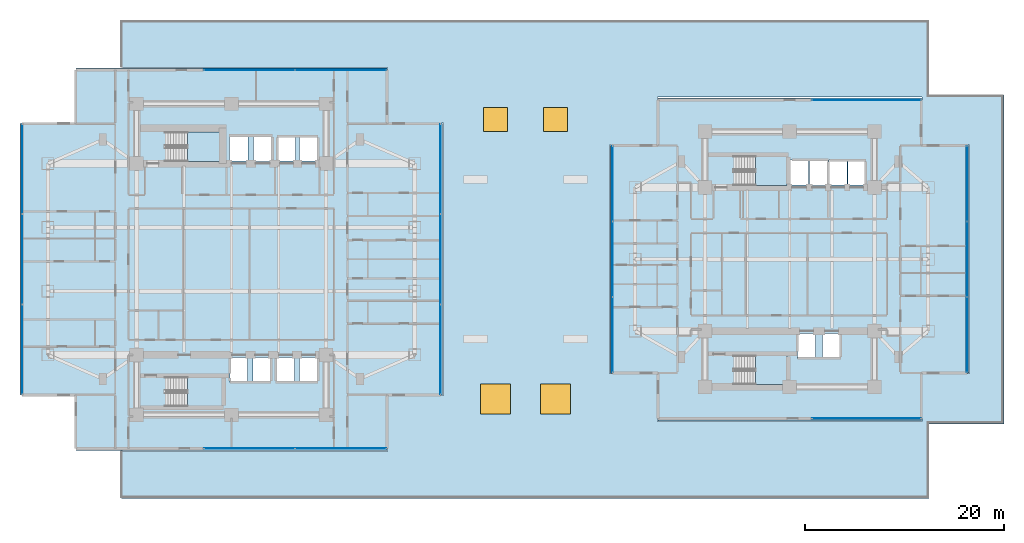
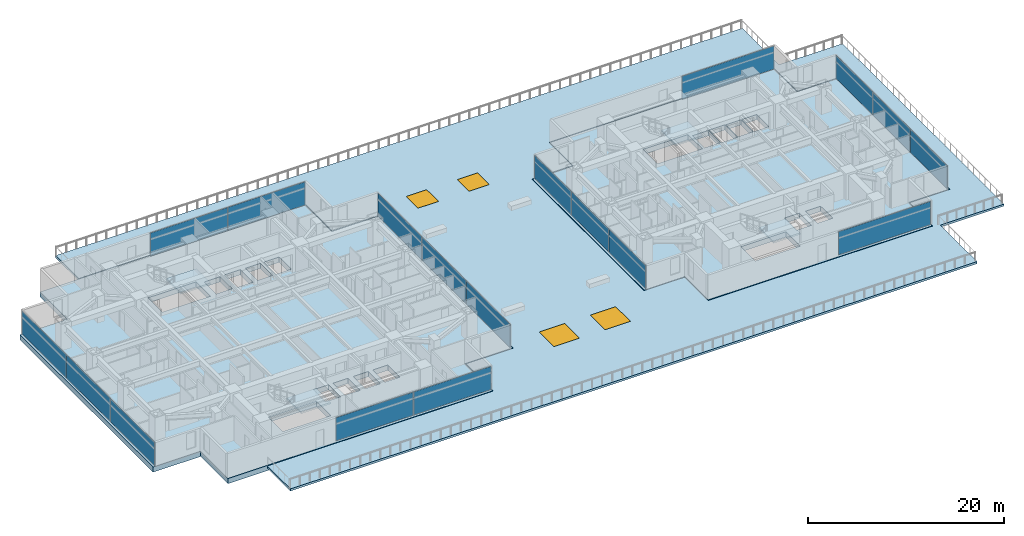
# One storey, part 11 of 26: 18 plates, 7 slabs, 4 windows, 4 openings, 12 elements without a shape of their own.
"""IFC4 building model written with IfcOpenShell, lengths in metres."""

from ifc_helpers import new_model, si_unit, direction, frame, origin, origin_2d, place, context, subcontext, project, spatial, polyline, rectangle, outline, extrude, material, layer, layer_set, type_object, element, fill, aggregate, save


model = new_model("IFC4")

# Units and contexts
model_context = context("Model", 3, precision=1e-05, world=origin(), true_north=direction((0.0, 1.0)))
body_context = subcontext(model_context, "Body", "Model", "MODEL_VIEW")
ifc_project = project(units=[si_unit("LENGTHUNIT", "METRE"), si_unit("AREAUNIT", "SQUARE_METRE"), si_unit("VOLUMEUNIT", "CUBIC_METRE"), si_unit("PLANEANGLEUNIT", "RADIAN"), si_unit("MASSUNIT", "GRAM", prefix="KILO")], contexts=[model_context])

# Site, building, storey
site_placement = place(None, origin())
site = spatial("IfcSite", under=ifc_project, at=site_placement, CompositionType="ELEMENT")
building_placement = place(site_placement, origin())
building = spatial("IfcBuilding", under=site, at=building_placement, Name="Mirazonda Arch Towers", CompositionType="ELEMENT")
storey_placement = place(building_placement, frame((0.0, 0.0, 22.39990234375)))
storey = spatial("IfcBuildingStorey", under=building, at=storey_placement, Name="L05", CompositionType="ELEMENT", Elevation=22.39990234375)

# Curtain wall, plates
ifc_material_1 = material(Name="Anodised Aluminium and Low-E Glass", Category="aluminium")
curtain_wall_type = type_object("IfcCurtainWallType", Name="CW-HTL-UNIT", PredefinedType="NOTDEFINED", material=ifc_material_1)
curtain_wall_1_placement = place(storey_placement, origin())
curtain_wall_1 = element("IfcCurtainWall", 1, at=curtain_wall_1_placement, inside=storey, type_object=curtain_wall_type, Name="L05 Curtain Wall CW-L05-T1-S", PredefinedType="NOTDEFINED")
ifc_material_2 = material(Name="Insulated Low-E Solar Glass", Category="glass")
ifc_layer_1 = layer(ifc_material_2, 0.035888671875, Name="PAN-CW-HTL-UNIT")
ifc_layer_set_1 = layer_set([ifc_layer_1], Name="Insulated Low-E Solar Glass")
plate_type = type_object("IfcPlateType", Name="PAN-CW-HTL-UNIT", PredefinedType="CURTAIN_PANEL", material=ifc_layer_set_1)
plate_1_placement = place(storey_placement, frame((31.481201171875, 9.02001953125, 0.0751953125), z_axis=(0.0, 0.0, 1.0), x_axis=(-1.0, 0.0, 0.0)))
plate_1 = element("IfcPlate", 2, at=plate_1_placement, type_object=plate_type, Name="CW-112 panel 1.1", PredefinedType="CURTAIN_PANEL", context=body_context, shape_type="SweptSolid", body=[
    extrude(rectangle(XDim=9.08740234375, YDim=0.035888671875, at=origin_2d()), origin(), (0.0, 0.0, 1.0), 2.889892578125),
])
plate_2_placement = place(storey_placement, frame((22.31884765625, 9.02001953125, 0.0751953125), z_axis=(0.0, 0.0, 1.0), x_axis=(-1.0, 0.0, 0.0)))
plate_2 = element("IfcPlate", 3, at=plate_2_placement, type_object=plate_type, Name="CW-112 panel 2.1", PredefinedType="CURTAIN_PANEL", context=body_context, shape_type="SweptSolid", body=[
    extrude(rectangle(XDim=9.08740234375, YDim=0.035888671875, at=origin_2d()), origin(), (0.0, 0.0, 1.0), 2.889892578125),
])
aggregate(curtain_wall_1, [plate_1, plate_2])

curtain_wall_2_placement = place(storey_placement, origin())
curtain_wall_2 = element("IfcCurtainWall", 4, at=curtain_wall_2_placement, inside=storey, type_object=curtain_wall_type, Name="L05 T1 E Facade CW-L05-T1-E", PredefinedType="NOTDEFINED")
plate_3_placement = place(storey_placement, frame((41.47998046875, 18.9521484375, 0.0751953125), z_axis=(0.0, 0.0, 1.0), x_axis=(0.0, 1.0, 0.0)))
plate_3 = element("IfcPlate", 5, at=plate_3_placement, type_object=plate_type, Name="CW-112 panel 1.1", PredefinedType="CURTAIN_PANEL", context=body_context, shape_type="SweptSolid", body=[
    extrude(rectangle(XDim=8.9541015625, YDim=0.035888671875, at=origin_2d()), origin(), (0.0, 0.0, 1.0), 2.889892578125),
])
plate_4_placement = place(storey_placement, frame((41.47998046875, 28.0, 0.0751953125), z_axis=(0.0, 0.0, 1.0), x_axis=(0.0, 1.0, 0.0)))
plate_4 = element("IfcPlate", 6, at=plate_4_placement, type_object=plate_type, Name="CW-112 panel 2.1", PredefinedType="CURTAIN_PANEL", context=body_context, shape_type="SweptSolid", body=[
    extrude(rectangle(XDim=8.99169921875, YDim=0.035888671875, at=origin_2d()), origin(), (0.0, 0.0, 1.0), 2.889892578125),
])
plate_5_placement = place(storey_placement, frame((41.47998046875, 37.0478515625, 0.0751953125), z_axis=(0.0, 0.0, 1.0), x_axis=(0.0, 1.0, 0.0)))
plate_5 = element("IfcPlate", 7, at=plate_5_placement, type_object=plate_type, Name="CW-112 panel 3.1", PredefinedType="CURTAIN_PANEL", context=body_context, shape_type="SweptSolid", body=[
    extrude(rectangle(XDim=8.9541015625, YDim=0.035888671875, at=origin_2d()), origin(), (0.0, 0.0, 1.0), 2.889892578125),
])
aggregate(curtain_wall_2, [plate_3, plate_4, plate_5])

curtain_wall_3_placement = place(storey_placement, origin())
curtain_wall_3 = element("IfcCurtainWall", 8, at=curtain_wall_3_placement, inside=storey, type_object=curtain_wall_type, Name="L05 Curtain Wall CW-L05-T1-N", PredefinedType="NOTDEFINED")
plate_6_placement = place(storey_placement, frame((22.31884765625, 46.97998046875, 0.0751953125), z_axis=(0.0, 0.0, 1.0), x_axis=(1.0, 0.0, 0.0)))
plate_6 = element("IfcPlate", 9, at=plate_6_placement, type_object=plate_type, Name="CW-112 panel 1.1", PredefinedType="CURTAIN_PANEL", context=body_context, shape_type="SweptSolid", body=[
    extrude(rectangle(XDim=9.08740234375, YDim=0.035888671875, at=origin_2d()), origin(), (0.0, 0.0, 1.0), 2.889892578125),
])
plate_7_placement = place(storey_placement, frame((31.481201171875, 46.97998046875, 0.0751953125), z_axis=(0.0, 0.0, 1.0), x_axis=(1.0, 0.0, 0.0)))
plate_7 = element("IfcPlate", 10, at=plate_7_placement, type_object=plate_type, Name="CW-112 panel 2.1", PredefinedType="CURTAIN_PANEL", context=body_context, shape_type="SweptSolid", body=[
    extrude(rectangle(XDim=9.08740234375, YDim=0.035888671875, at=origin_2d()), origin(), (0.0, 0.0, 1.0), 2.889892578125),
])
aggregate(curtain_wall_3, [plate_6, plate_7])

curtain_wall_4_placement = place(storey_placement, origin())
curtain_wall_4 = element("IfcCurtainWall", 11, at=curtain_wall_4_placement, inside=storey, type_object=curtain_wall_type, Name="L05 T1 W Facade CW-L05-T1-W", PredefinedType="NOTDEFINED")
plate_8_placement = place(storey_placement, frame((-0.47998046875, 37.0478515625, 0.0751953125), z_axis=(0.0, 0.0, 1.0), x_axis=(0.0, -1.0, 0.0)))
plate_8 = element("IfcPlate", 12, at=plate_8_placement, type_object=plate_type, Name="CW-112 panel 1.1", PredefinedType="CURTAIN_PANEL", context=body_context, shape_type="SweptSolid", body=[
    extrude(rectangle(XDim=8.9541015625, YDim=0.035888671875, at=origin_2d()), origin(), (0.0, 0.0, 1.0), 2.889892578125),
])
plate_9_placement = place(storey_placement, frame((-0.47998046875, 28.0, 0.0751953125), z_axis=(0.0, 0.0, 1.0), x_axis=(0.0, -1.0, 0.0)))
plate_9 = element("IfcPlate", 13, at=plate_9_placement, type_object=plate_type, Name="CW-112 panel 2.1", PredefinedType="CURTAIN_PANEL", context=body_context, shape_type="SweptSolid", body=[
    extrude(rectangle(XDim=8.99169921875, YDim=0.035888671875, at=origin_2d()), origin(), (0.0, 0.0, 1.0), 2.889892578125),
])
plate_10_placement = place(storey_placement, frame((-0.47998046875, 18.9521484375, 0.0751953125), z_axis=(0.0, 0.0, 1.0), x_axis=(0.0, -1.0, 0.0)))
plate_10 = element("IfcPlate", 14, at=plate_10_placement, type_object=plate_type, Name="CW-112 panel 3.1", PredefinedType="CURTAIN_PANEL", context=body_context, shape_type="SweptSolid", body=[
    extrude(rectangle(XDim=8.9541015625, YDim=0.035888671875, at=origin_2d()), origin(), (0.0, 0.0, 1.0), 2.889892578125),
])
aggregate(curtain_wall_4, [plate_8, plate_9, plate_10])

# Curtain wall, plate
curtain_wall_5_placement = place(storey_placement, origin())
curtain_wall_5 = element("IfcCurtainWall", 15, at=curtain_wall_5_placement, inside=storey, type_object=curtain_wall_type, Name="L05 Curtain Wall CW-L05-T2-S", PredefinedType="NOTDEFINED")
plate_11_placement = place(storey_placement, frame((84.199951171875, 12.02001953125, 0.0751953125), z_axis=(0.0, 0.0, 1.0), x_axis=(-1.0, 0.0, 0.0)))
plate_11 = element("IfcPlate", 16, at=plate_11_placement, type_object=plate_type, Name="CW-112 panel 1.1", PredefinedType="CURTAIN_PANEL", context=body_context, shape_type="SweptSolid", body=[
    extrude(rectangle(XDim=10.85009765625, YDim=0.035888671875, at=origin_2d()), origin(), (0.0, 0.0, 1.0), 2.889892578125),
])
aggregate(curtain_wall_5, [plate_11])

# Curtain wall, plates
curtain_wall_6_placement = place(storey_placement, origin())
curtain_wall_6 = element("IfcCurtainWall", 17, at=curtain_wall_6_placement, inside=storey, type_object=curtain_wall_type, Name="L05 T2 E Facade CW-L05-T2-E", PredefinedType="NOTDEFINED")
plate_12_placement = place(storey_placement, frame((94.280029296875, 20.418701171875, 0.0751953125), z_axis=(0.0, 0.0, 1.0), x_axis=(0.0, 1.0, 0.0)))
plate_12 = element("IfcPlate", 18, at=plate_12_placement, type_object=plate_type, Name="CW-112 panel 1.1", PredefinedType="CURTAIN_PANEL", context=body_context, shape_type="SweptSolid", body=[
    extrude(rectangle(XDim=7.487548828125, YDim=0.035888671875, at=origin_2d()), origin(), (0.0, 0.0, 1.0), 2.889892578125),
])
plate_13_placement = place(storey_placement, frame((94.280029296875, 28.0, 0.0751953125), z_axis=(0.0, 0.0, 1.0), x_axis=(0.0, 1.0, 0.0)))
plate_13 = element("IfcPlate", 19, at=plate_13_placement, type_object=plate_type, Name="CW-112 panel 2.1", PredefinedType="CURTAIN_PANEL", context=body_context, shape_type="SweptSolid", body=[
    extrude(rectangle(XDim=7.52490234375, YDim=0.035888671875, at=origin_2d()), origin(), (0.0, 0.0, 1.0), 2.889892578125),
])
plate_14_placement = place(storey_placement, frame((94.280029296875, 35.581298828125, 0.0751953125), z_axis=(0.0, 0.0, 1.0), x_axis=(0.0, 1.0, 0.0)))
plate_14 = element("IfcPlate", 20, at=plate_14_placement, type_object=plate_type, Name="CW-112 panel 3.1", PredefinedType="CURTAIN_PANEL", context=body_context, shape_type="SweptSolid", body=[
    extrude(rectangle(XDim=7.487548828125, YDim=0.035888671875, at=origin_2d()), origin(), (0.0, 0.0, 1.0), 2.889892578125),
])
aggregate(curtain_wall_6, [plate_12, plate_13, plate_14])

# Curtain wall, plate
curtain_wall_7_placement = place(storey_placement, origin())
curtain_wall_7 = element("IfcCurtainWall", 21, at=curtain_wall_7_placement, inside=storey, type_object=curtain_wall_type, Name="L05 Curtain Wall CW-L05-T2-N", PredefinedType="NOTDEFINED")
plate_15_placement = place(storey_placement, frame((84.199951171875, 43.97998046875, 0.0751953125), z_axis=(0.0, 0.0, 1.0), x_axis=(1.0, 0.0, 0.0)))
plate_15 = element("IfcPlate", 22, at=plate_15_placement, type_object=plate_type, Name="CW-112 panel 1.1", PredefinedType="CURTAIN_PANEL", context=body_context, shape_type="SweptSolid", body=[
    extrude(rectangle(XDim=10.85009765625, YDim=0.035888671875, at=origin_2d()), origin(), (0.0, 0.0, 1.0), 2.889892578125),
])
aggregate(curtain_wall_7, [plate_15])

# Curtain wall, plates
curtain_wall_8_placement = place(storey_placement, origin())
curtain_wall_8 = element("IfcCurtainWall", 23, at=curtain_wall_8_placement, inside=storey, type_object=curtain_wall_type, Name="L05 T2 W Facade CW-L05-T2-W", PredefinedType="NOTDEFINED")
plate_16_placement = place(storey_placement, frame((58.719970703125, 35.581298828125, 0.0751953125), z_axis=(0.0, 0.0, 1.0), x_axis=(0.0, -1.0, 0.0)))
plate_16 = element("IfcPlate", 24, at=plate_16_placement, type_object=plate_type, Name="CW-112 panel 1.1", PredefinedType="CURTAIN_PANEL", context=body_context, shape_type="SweptSolid", body=[
    extrude(rectangle(XDim=7.487548828125, YDim=0.035888671875, at=origin_2d()), origin(), (0.0, 0.0, 1.0), 2.889892578125),
])
plate_17_placement = place(storey_placement, frame((58.719970703125, 28.0, 0.0751953125), z_axis=(0.0, 0.0, 1.0), x_axis=(0.0, -1.0, 0.0)))
plate_17 = element("IfcPlate", 25, at=plate_17_placement, type_object=plate_type, Name="CW-112 panel 2.1", PredefinedType="CURTAIN_PANEL", context=body_context, shape_type="SweptSolid", body=[
    extrude(rectangle(XDim=7.52490234375, YDim=0.035888671875, at=origin_2d()), origin(), (0.0, 0.0, 1.0), 2.889892578125),
])
plate_18_placement = place(storey_placement, frame((58.719970703125, 20.418701171875, 0.0751953125), z_axis=(0.0, 0.0, 1.0), x_axis=(0.0, -1.0, 0.0)))
plate_18 = element("IfcPlate", 26, at=plate_18_placement, type_object=plate_type, Name="CW-112 panel 3.1", PredefinedType="CURTAIN_PANEL", context=body_context, shape_type="SweptSolid", body=[
    extrude(rectangle(XDim=7.487548828125, YDim=0.035888671875, at=origin_2d()), origin(), (0.0, 0.0, 1.0), 2.889892578125),
])
aggregate(curtain_wall_8, [plate_16, plate_17, plate_18])

# Stair, slab
ifc_material_3 = material(Name="Concrete C40/50", Category="concrete")
stair_type = type_object("IfcStairType", Name="STAIR-CORE-1400", PredefinedType="HALF_TURN_STAIR", material=ifc_material_3)
stair_1_placement = place(storey_placement, origin())
stair_1 = element("IfcStair", 27, at=stair_1_placement, inside=storey, type_object=stair_type, Name="L05 Protected Exit Stair ST-T1N", PredefinedType="HALF_TURN_STAIR")
ifc_layer_2 = layer(ifc_material_3, 0.18994140625, Name="SLAB-LANDING-190")
ifc_layer_set_2 = layer_set([ifc_layer_2], Name="Concrete C40/50")
slab_type_1 = type_object("IfcSlabType", Name="SLAB-LANDING-190", PredefinedType="LANDING", material=ifc_layer_set_2)
slab_1_placement = place(storey_placement, frame((0.0, 0.0, 1.4501953125)))
slab_1 = element("IfcSlab", 28, at=slab_1_placement, type_object=slab_type_1, Name="ST-T1N landing 1", PredefinedType="LANDING", context=body_context, shape_type="SweptSolid", body=[
    extrude(outline(polyline([(16.090087890625, 37.820068359375), (19.60009765625, 37.820068359375), (19.60009765625, 40.760009765625), (16.090087890625, 40.760009765625), (16.090087890625, 37.820068359375)])), origin(), (0.0, 0.0, 1.0), 0.199951171875),
])
aggregate(stair_1, [slab_1])

stair_2_placement = place(storey_placement, origin())
stair_2 = element("IfcStair", 29, at=stair_2_placement, inside=storey, type_object=stair_type, Name="L05 Protected Exit Stair ST-T1S", PredefinedType="HALF_TURN_STAIR")
slab_2_placement = place(storey_placement, frame((0.0, 0.0, 1.4501953125)))
slab_2 = element("IfcSlab", 30, at=slab_2_placement, type_object=slab_type_1, Name="ST-T1S landing 1", PredefinedType="LANDING", context=body_context, shape_type="SweptSolid", body=[
    extrude(outline(polyline([(16.090087890625, 13.25), (19.60009765625, 13.25), (19.60009765625, 16.18994140625), (16.090087890625, 16.18994140625), (16.090087890625, 13.25)])), origin(), (0.0, 0.0, 1.0), 0.199951171875),
])
aggregate(stair_2, [slab_2])

stair_3_placement = place(storey_placement, origin())
stair_3 = element("IfcStair", 31, at=stair_3_placement, inside=storey, type_object=stair_type, Name="L05 Protected Exit Stair ST-T2N", PredefinedType="HALF_TURN_STAIR")
slab_3_placement = place(storey_placement, frame((0.0, 0.0, 1.4501953125)))
slab_3 = element("IfcSlab", 32, at=slab_3_placement, type_object=slab_type_1, Name="ST-T2N landing 1", PredefinedType="LANDING", context=body_context, shape_type="SweptSolid", body=[
    extrude(outline(polyline([(73.090087890625, 35.419921875), (76.22998046875, 35.419921875), (76.22998046875, 38.360107421875), (73.090087890625, 38.360107421875), (73.090087890625, 35.419921875)])), origin(), (0.0, 0.0, 1.0), 0.199951171875),
])
aggregate(stair_3, [slab_3])

stair_4_placement = place(storey_placement, origin())
stair_4 = element("IfcStair", 33, at=stair_4_placement, inside=storey, type_object=stair_type, Name="L05 Protected Exit Stair ST-T2S", PredefinedType="HALF_TURN_STAIR")
slab_4_placement = place(storey_placement, frame((0.0, 0.0, 1.4501953125)))
slab_4 = element("IfcSlab", 34, at=slab_4_placement, type_object=slab_type_1, Name="ST-T2S landing 1", PredefinedType="LANDING", context=body_context, shape_type="SweptSolid", body=[
    extrude(outline(polyline([(73.090087890625, 15.419921875), (76.22998046875, 15.419921875), (76.22998046875, 18.360107421875), (73.090087890625, 18.360107421875), (73.090087890625, 15.419921875)])), origin(), (0.0, 0.0, 1.0), 0.199951171875),
])
aggregate(stair_4, [slab_4])

# Slab, openings, windows
ifc_layer_3 = layer(ifc_material_3, 0.260009765625, Name="SLAB-ROOF-260")
ifc_layer_set_3 = layer_set([ifc_layer_3], Name="Concrete C40/50")
slab_type_2 = type_object("IfcSlabType", Name="SLAB-ROOF-260", PredefinedType="ROOF", material=ifc_layer_set_3)
slab_5_placement = place(storey_placement, frame((0.0, 0.0, -0.260009765625)))
slab_5 = element("IfcSlab", 35, at=slab_5_placement, inside=storey, type_object=slab_type_2, Name="L05 Landscaped Podium Roof Terrace Deck 1", PredefinedType="ROOF", context=body_context, shape_type="SweptSolid", body=[
    extrude(outline(polyline([(9.5, 52.0), (9.5, 47.260009765625), (36.159912109375, 47.260009765625), (36.159912109375, 41.659912109375), (41.760009765625, 41.659912109375), (41.760009765625, 14.340087890625), (36.159912109375, 14.340087890625), (36.159912109375, 8.739990234375), (9.5, 8.739990234375), (9.5, 4.0), (90.5, 4.0), (90.5, 11.5), (98.0, 11.5), (98.0, 44.5), (90.5, 44.5), (90.5, 52.0), (9.5, 52.0)]), holes=[polyline([(63.239990234375, 11.739990234375), (63.239990234375, 16.5400390625), (58.43994140625, 16.5400390625), (58.43994140625, 39.4599609375), (63.239990234375, 39.4599609375), (63.239990234375, 44.260009765625), (89.760009765625, 44.260009765625), (89.760009765625, 39.4599609375), (94.56005859375, 39.4599609375), (94.56005859375, 16.5400390625), (89.760009765625, 16.5400390625), (89.760009765625, 11.739990234375), (63.239990234375, 11.739990234375)])]), origin(), (0.0, 0.0, 1.0), 0.260009765625),
])
opening_1_placement = place(slab_5_placement, frame((47.0, 14.0, 0.0)))
opening_1 = element("IfcOpeningElement", 36, at=opening_1_placement, cuts=slab_5, Name="Opening WN-123", PredefinedType="OPENING", context=body_context, shape_type="SweptSolid", body=[
    extrude(rectangle(XDim=3.0, YDim=3.0, at=origin_2d()), frame((0.0, 0.0, -0.010009765625)), (0.0, 0.0, 1.0), 0.280029296875),
])
opening_2_placement = place(slab_5_placement, frame((53.0, 14.0, 0.0)))
opening_2 = element("IfcOpeningElement", 37, at=opening_2_placement, cuts=slab_5, Name="Opening WN-123", PredefinedType="OPENING", context=body_context, shape_type="SweptSolid", body=[
    extrude(rectangle(XDim=3.0, YDim=3.0, at=origin_2d()), frame((0.0, 0.0, -0.010009765625)), (0.0, 0.0, 1.0), 0.280029296875),
])
opening_3_placement = place(slab_5_placement, frame((47.0, 42.0, 0.0)))
opening_3 = element("IfcOpeningElement", 38, at=opening_3_placement, cuts=slab_5, Name="Opening WN-103", PredefinedType="OPENING", context=body_context, shape_type="SweptSolid", body=[
    extrude(rectangle(XDim=2.39990234375, YDim=2.39990234375, at=origin_2d()), frame((0.0, 0.0, -0.010009765625)), (0.0, 0.0, 1.0), 0.280029296875),
])
opening_4_placement = place(slab_5_placement, frame((53.0, 42.0, 0.0)))
opening_4 = element("IfcOpeningElement", 39, at=opening_4_placement, cuts=slab_5, Name="Opening WN-103", PredefinedType="OPENING", context=body_context, shape_type="SweptSolid", body=[
    extrude(rectangle(XDim=2.39990234375, YDim=2.39990234375, at=origin_2d()), frame((0.0, 0.0, -0.010009765625)), (0.0, 0.0, 1.0), 0.280029296875),
])
window_type_1 = type_object("IfcWindowType", Name="WIN-SKY-POD-2400x2400", PartitioningType="SINGLE_PANEL", PredefinedType="SKYLIGHT", material=ifc_material_2)
window_1_placement = place(opening_3_placement, frame((0.0, 0.0, 0.2099609375)))
window_1 = element("IfcWindow", 40, at=window_1_placement, inside=storey, type_object=window_type_1, Name="L05 Podium Roof Atrium Skylight 3", OverallHeight=2.39990234375, OverallWidth=2.39990234375, PartitioningType="SINGLE_PANEL", PredefinedType="SKYLIGHT", context=body_context, shape_type="SweptSolid", body=[
    extrude(rectangle(XDim=2.39990234375, YDim=2.39990234375, at=origin_2d()), origin(), (0.0, 0.0, 1.0), 0.050048828125),
])
fill(opening_3, window_1)
window_2_placement = place(opening_4_placement, frame((0.0, 0.0, 0.2099609375)))
window_2 = element("IfcWindow", 41, at=window_2_placement, inside=storey, type_object=window_type_1, Name="L05 Podium Roof Atrium Skylight 4", OverallHeight=2.39990234375, OverallWidth=2.39990234375, PartitioningType="SINGLE_PANEL", PredefinedType="SKYLIGHT", context=body_context, shape_type="SweptSolid", body=[
    extrude(rectangle(XDim=2.39990234375, YDim=2.39990234375, at=origin_2d()), origin(), (0.0, 0.0, 1.0), 0.050048828125),
])
fill(opening_4, window_2)
window_type_2 = type_object("IfcWindowType", Name="WIN-SKY-POD-3000x3000", PartitioningType="SINGLE_PANEL", PredefinedType="SKYLIGHT", material=ifc_material_2)
window_3_placement = place(opening_1_placement, frame((0.0, 0.0, 0.2099609375)))
window_3 = element("IfcWindow", 42, at=window_3_placement, inside=storey, type_object=window_type_2, Name="L05 Podium Roof Atrium Skylight 1", OverallHeight=3.0, OverallWidth=3.0, PartitioningType="SINGLE_PANEL", PredefinedType="SKYLIGHT", context=body_context, shape_type="SweptSolid", body=[
    extrude(rectangle(XDim=3.0, YDim=3.0, at=origin_2d()), origin(), (0.0, 0.0, 1.0), 0.050048828125),
])
fill(opening_1, window_3)
window_4_placement = place(opening_2_placement, frame((0.0, 0.0, 0.2099609375)))
window_4 = element("IfcWindow", 43, at=window_4_placement, inside=storey, type_object=window_type_2, Name="L05 Podium Roof Atrium Skylight 2", OverallHeight=3.0, OverallWidth=3.0, PartitioningType="SINGLE_PANEL", PredefinedType="SKYLIGHT", context=body_context, shape_type="SweptSolid", body=[
    extrude(rectangle(XDim=3.0, YDim=3.0, at=origin_2d()), origin(), (0.0, 0.0, 1.0), 0.050048828125),
])
fill(opening_2, window_4)

# Slabs
ifc_material_4 = material(Name="Concrete C50/60", Category="concrete")
ifc_layer_4 = layer(ifc_material_4, 0.64990234375, Name="SLAB-TRANSFER-650")
ifc_layer_set_4 = layer_set([ifc_layer_4], Name="Concrete C50/60")
slab_type_3 = type_object("IfcSlabType", Name="SLAB-TRANSFER-650", PredefinedType="FLOOR", material=ifc_layer_set_4)
slab_6_placement = place(storey_placement, frame((0.0, 0.0, -0.64990234375)))
element("IfcSlab", 44, at=slab_6_placement, inside=storey, type_object=slab_type_3, Name="L05 Tower 1 Floor Slab", PredefinedType="FLOOR", context=body_context, shape_type="SweptSolid", body=[
    extrude(outline(polyline([(4.89990234375, 8.800048828125), (36.10009765625, 8.800048828125), (36.10009765625, 14.39990234375), (41.699951171875, 14.39990234375), (41.699951171875, 41.60009765625), (36.10009765625, 41.60009765625), (36.10009765625, 47.199951171875), (4.89990234375, 47.199951171875), (4.89990234375, 41.60009765625), (-0.699951171875, 41.60009765625), (-0.699951171875, 14.39990234375), (4.89990234375, 14.39990234375), (4.89990234375, 8.800048828125)]), holes=[polyline([(29.139892578125, 18.139892578125), (29.139892578125, 15.659912109375), (27.360107421875, 15.659912109375), (27.360107421875, 18.139892578125), (29.139892578125, 18.139892578125)]), polyline([(29.139892578125, 40.340087890625), (29.139892578125, 37.860107421875), (27.360107421875, 37.860107421875), (27.360107421875, 40.340087890625), (29.139892578125, 40.340087890625)]), polyline([(25.159912109375, 40.340087890625), (26.93994140625, 40.340087890625), (26.93994140625, 37.860107421875), (25.159912109375, 37.860107421875), (25.159912109375, 40.340087890625)]), polyline([(26.840087890625, 18.139892578125), (26.840087890625, 15.659912109375), (25.06005859375, 15.659912109375), (25.06005859375, 18.139892578125), (26.840087890625, 18.139892578125)]), polyline([(22.7099609375, 40.389892578125), (24.590087890625, 40.389892578125), (24.590087890625, 37.81005859375), (22.7099609375, 37.81005859375), (22.7099609375, 40.389892578125)]), polyline([(22.659912109375, 18.139892578125), (24.43994140625, 18.139892578125), (24.43994140625, 15.659912109375), (22.659912109375, 15.659912109375), (22.659912109375, 18.139892578125)]), polyline([(20.31005859375, 40.340087890625), (22.18994140625, 40.340087890625), (22.18994140625, 37.860107421875), (20.31005859375, 37.860107421875), (20.31005859375, 40.340087890625)]), polyline([(20.360107421875, 18.139892578125), (22.139892578125, 18.139892578125), (22.139892578125, 15.659912109375), (20.360107421875, 15.659912109375), (20.360107421875, 18.139892578125)]), polyline([(13.925048828125, 40.760009765625), (19.60009765625, 40.760009765625), (19.60009765625, 37.820068359375), (13.925048828125, 37.820068359375), (13.925048828125, 40.760009765625)]), polyline([(13.925048828125, 13.25), (13.925048828125, 16.18994140625), (19.60009765625, 16.18994140625), (19.60009765625, 13.25), (13.925048828125, 13.25)])]), origin(), (0.0, 0.0, 1.0), 0.64990234375),
])
slab_7_placement = place(storey_placement, frame((0.0, 0.0, -0.64990234375)))
element("IfcSlab", 45, at=slab_7_placement, inside=storey, type_object=slab_type_3, Name="L05 Tower 2 Floor Slab", PredefinedType="FLOOR", context=body_context, shape_type="SweptSolid", body=[
    extrude(outline(polyline([(63.300048828125, 11.800048828125), (89.699951171875, 11.800048828125), (89.699951171875, 16.60009765625), (94.5, 16.60009765625), (94.5, 39.39990234375), (89.699951171875, 39.39990234375), (89.699951171875, 44.199951171875), (63.300048828125, 44.199951171875), (63.300048828125, 39.39990234375), (58.5, 39.39990234375), (58.5, 16.60009765625), (63.300048828125, 16.60009765625), (63.300048828125, 11.800048828125)]), holes=[polyline([(82.330078125, 37.93994140625), (84.110107421875, 37.93994140625), (84.110107421875, 35.4599609375), (82.330078125, 35.4599609375), (82.330078125, 37.93994140625)]), polyline([(80.449951171875, 37.93994140625), (82.22998046875, 37.93994140625), (82.22998046875, 35.4599609375), (80.449951171875, 35.4599609375), (80.449951171875, 37.93994140625)]), polyline([(79.81005859375, 20.5400390625), (81.590087890625, 20.5400390625), (81.590087890625, 18.06005859375), (79.81005859375, 18.06005859375), (79.81005859375, 20.5400390625)]), polyline([(78.47998046875, 37.989990234375), (80.360107421875, 37.989990234375), (80.360107421875, 35.409912109375), (78.47998046875, 35.409912109375), (78.47998046875, 37.989990234375)]), polyline([(77.31005859375, 20.5400390625), (79.090087890625, 20.5400390625), (79.090087890625, 18.06005859375), (77.31005859375, 18.06005859375), (77.31005859375, 20.5400390625)]), polyline([(76.510009765625, 37.93994140625), (78.389892578125, 37.93994140625), (78.389892578125, 35.4599609375), (76.510009765625, 35.4599609375), (76.510009765625, 37.93994140625)]), polyline([(70.925048828125, 15.419921875), (70.925048828125, 18.360107421875), (76.22998046875, 18.360107421875), (76.22998046875, 15.419921875), (70.925048828125, 15.419921875)]), polyline([(70.925048828125, 35.419921875), (70.925048828125, 38.360107421875), (76.22998046875, 38.360107421875), (76.22998046875, 35.419921875), (70.925048828125, 35.419921875)])]), origin(), (0.0, 0.0, 1.0), 0.64990234375),
])

save(model, "model.ifc")
